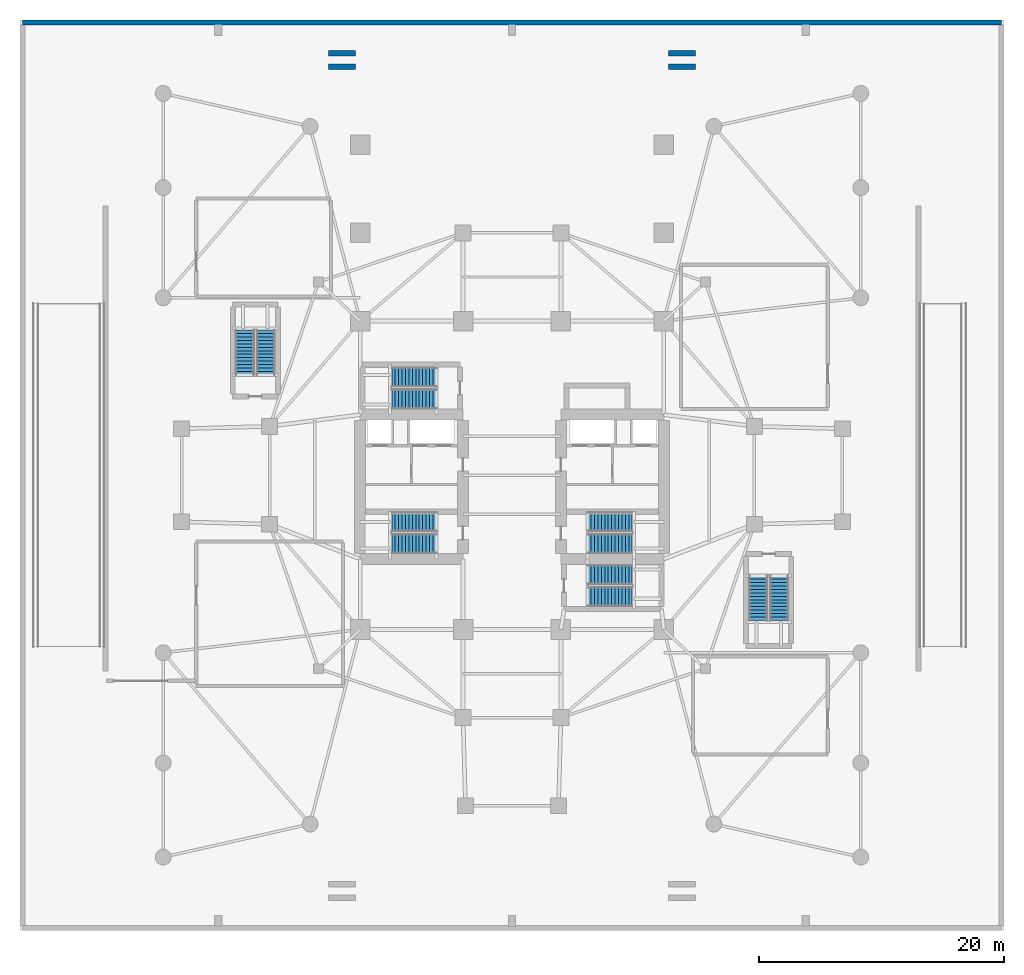
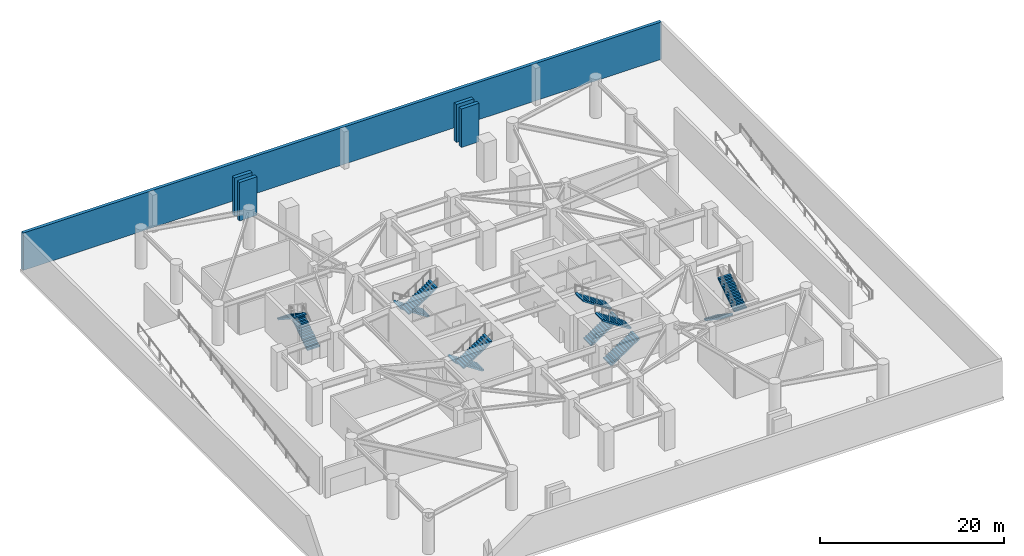
# One storey, part 7 of 12: 12 stair flights, 5 walls, 6 elements without a shape of their own.
"""IFC4 building model written with IfcOpenShell, lengths in metres."""

from ifc_helpers import new_model, si_unit, direction, frame, frame_2d, origin, place, context, subcontext, project, spatial, polyline, rectangle, outline, extrude, material, layer, layer_set, type_object, element, aggregate, save


model = new_model("IFC4")

# Units and contexts
model_context = context("Model", 3, precision=1e-05, world=origin(), true_north=direction((0.0, 1.0)))
body_context = subcontext(model_context, "Body", "Model", "MODEL_VIEW")
ifc_project = project(units=[si_unit("LENGTHUNIT", "METRE"), si_unit("AREAUNIT", "SQUARE_METRE"), si_unit("VOLUMEUNIT", "CUBIC_METRE"), si_unit("PLANEANGLEUNIT", "RADIAN"), si_unit("MASSUNIT", "GRAM", prefix="KILO")], contexts=[model_context])

# Site, building, storey
site_placement = place(None, origin())
site = spatial("IfcSite", under=ifc_project, at=site_placement, CompositionType="ELEMENT")
building_placement = place(site_placement, origin())
building = spatial("IfcBuilding", under=site, at=building_placement, Name="Qingluan Cross Belvedere", CompositionType="ELEMENT")
storey_placement = place(building_placement, frame((0.0, 0.0, -5.199951171875)))
storey = spatial("IfcBuildingStorey", under=building, at=storey_placement, Name="B1", CompositionType="ELEMENT", Elevation=-5.199951171875)

# Walls
ifc_material_1 = material(Name="Concrete C50", Category="concrete")
ifc_layer_1 = layer(ifc_material_1, 0.449951171875, Name="CoreShearWall_450")
ifc_layer_set_1 = layer_set([ifc_layer_1], Name="Concrete C50")
wall_type_1 = type_object("IfcWallType", Name="CoreShearWall_450", PredefinedType="SHEAR", material=ifc_layer_set_1)
wall_1_placement = place(storey_placement, frame((-15.0, 34.5, 0.0), z_axis=(0.0, 0.0, 1.0), x_axis=(1.0, 0.0, 0.0)))
element("IfcWall", 1, at=wall_1_placement, inside=storey, type_object=wall_type_1, Name="Entrance ramp structural support wall B1-5", PredefinedType="SHEAR", context=body_context, shape_type="SweptSolid", body=[
    extrude(rectangle(XDim=2.199951171875, YDim=0.449951171875, at=frame_2d((1.10009765625, 0.0))), origin(), (0.0, 0.0, 1.0), 5.02001953125),
])
wall_2_placement = place(storey_placement, frame((-15.0, 33.39990234375, 0.0), z_axis=(0.0, 0.0, 1.0), x_axis=(1.0, 0.0, 0.0)))
element("IfcWall", 2, at=wall_2_placement, inside=storey, type_object=wall_type_1, Name="Entrance ramp structural support wall B1-6", PredefinedType="SHEAR", context=body_context, shape_type="SweptSolid", body=[
    extrude(rectangle(XDim=2.199951171875, YDim=0.449951171875, at=frame_2d((1.10009765625, 0.0))), origin(), (0.0, 0.0, 1.0), 5.099853515625),
])
wall_3_placement = place(storey_placement, frame((12.800048828125, 34.5, 0.0), z_axis=(0.0, 0.0, 1.0), x_axis=(1.0, 0.0, 0.0)))
element("IfcWall", 3, at=wall_3_placement, inside=storey, type_object=wall_type_1, Name="Entrance ramp structural support wall B1-7", PredefinedType="SHEAR", context=body_context, shape_type="SweptSolid", body=[
    extrude(rectangle(XDim=2.199951171875, YDim=0.449951171875, at=frame_2d((1.10009765625, 0.0))), origin(), (0.0, 0.0, 1.0), 5.02001953125),
])
wall_4_placement = place(storey_placement, frame((12.800048828125, 33.39990234375, 0.0), z_axis=(0.0, 0.0, 1.0), x_axis=(1.0, 0.0, 0.0)))
element("IfcWall", 4, at=wall_4_placement, inside=storey, type_object=wall_type_1, Name="Entrance ramp structural support wall B1-8", PredefinedType="SHEAR", context=body_context, shape_type="SweptSolid", body=[
    extrude(rectangle(XDim=2.199951171875, YDim=0.449951171875, at=frame_2d((1.10009765625, 0.0))), origin(), (0.0, 0.0, 1.0), 5.099853515625),
])
ifc_material_2 = material(Name="Concrete C40", Category="concrete")
ifc_layer_2 = layer(ifc_material_2, 0.39990234375, Name="RetainingWall_400")
ifc_layer_set_2 = layer_set([ifc_layer_2], Name="Concrete C40")
wall_type_2 = type_object("IfcWallType", Name="RetainingWall_400", PredefinedType="USERDEFINED", material=ifc_layer_set_2)
wall_5_placement = place(storey_placement, frame((-40.0, 37.0, 0.0), z_axis=(0.0, 0.0, 1.0), x_axis=(1.0, 0.0, 0.0)))
element("IfcWall", 5, at=wall_5_placement, inside=storey, type_object=wall_type_2, Name="Basement perimeter retaining wall B1-N", ObjectType="RETAININGWALL", PredefinedType="USERDEFINED", context=body_context, shape_type="SweptSolid", body=[
    extrude(rectangle(XDim=80.0, YDim=0.39990234375, at=frame_2d((40.0, 0.0))), origin(), (0.0, 0.0, 1.0), 4.949951171875),
])

# Stair, stair flights
ifc_material_3 = material(Name="Concrete C40", Category="concrete")
stair_type_1 = type_object("IfcStairType", Name="PodiumExitStair_1550", PredefinedType="HALF_TURN_STAIR", material=ifc_material_3)
stair_1_placement = place(storey_placement, origin())
stair_1 = element("IfcStair", 6, at=stair_1_placement, inside=storey, type_object=stair_type_1, Name="B1 ST5", PredefinedType="HALF_TURN_STAIR")
ifc_material_4 = material(Name="Concrete C40", Category="concrete")
ifc_layer_3 = layer(ifc_material_4, 0.179931640625, Name="PodiumStairFlight_RC180")
ifc_layer_set_3 = layer_set([ifc_layer_3], Name="Concrete C40")
stair_flight_type_1 = type_object("IfcStairFlightType", Name="PodiumStairFlight_RC180", PredefinedType="STRAIGHT", material=ifc_layer_set_3)
stair_flight_1_placement = place(storey_placement, frame((-20.114990234375, 8.2099609375, 0.0), z_axis=(0.0, 0.0, 1.0), x_axis=(0.0, 1.0, 0.0)))
stair_flight_1 = element("IfcStairFlight", 7, at=stair_flight_1_placement, type_object=stair_flight_type_1, Name="ST5 flight 1", NumberOfRisers=14, NumberOfTreads=13, PredefinedType="STRAIGHT", RiserHeight=0.185714286, TreadLength=0.28, context=body_context, shape_type="SweptSolid", body=[
    extrude(outline(polyline([(0.0, 0.0), (0.0, 0.185791015625), (0.280029296875, 0.185791015625), (0.280029296875, 0.371337890625), (0.56005859375, 0.371337890625), (0.56005859375, 0.55712890625), (0.840087890625, 0.55712890625), (0.840087890625, 0.742919921875), (1.1201171875, 0.742919921875), (1.1201171875, 0.928466796875), (1.39990234375, 0.928466796875), (1.39990234375, 1.1142578125), (1.679931640625, 1.1142578125), (1.679931640625, 1.300048828125), (1.9599609375, 1.300048828125), (1.9599609375, 1.485595703125), (2.239990234375, 1.485595703125), (2.239990234375, 1.67138671875), (2.52001953125, 1.67138671875), (2.52001953125, 1.857177734375), (2.800048828125, 1.857177734375), (2.800048828125, 2.04296875), (3.080078125, 2.04296875), (3.080078125, 2.228515625), (3.360107421875, 2.228515625), (3.360107421875, 2.414306640625), (3.639892578125, 2.414306640625), (3.639892578125, 2.60009765625), (3.639892578125, 2.234375), (0.271240234375, 0.0), (0.0, 0.0)])), frame((0.0, 0.77490234375, 0.0), z_axis=(0.0, -1.0, 0.0), x_axis=(1.0, 0.0, 0.0)), (0.0, 0.0, 1.0), 1.550048828125),
])
stair_flight_2_placement = place(storey_placement, frame((-21.824951171875, 11.85009765625, 2.599853515625), z_axis=(0.0, 0.0, 1.0), x_axis=(0.0, -1.0, 0.0)))
stair_flight_2 = element("IfcStairFlight", 8, at=stair_flight_2_placement, type_object=stair_flight_type_1, Name="ST5 flight 2", NumberOfRisers=14, NumberOfTreads=13, PredefinedType="STRAIGHT", RiserHeight=0.185714286, TreadLength=0.28, context=body_context, shape_type="SweptSolid", body=[
    extrude(outline(polyline([(0.0, 0.0), (0.0, 0.185791015625), (0.280029296875, 0.185791015625), (0.280029296875, 0.371337890625), (0.56005859375, 0.371337890625), (0.56005859375, 0.55712890625), (0.840087890625, 0.55712890625), (0.840087890625, 0.742919921875), (1.1201171875, 0.742919921875), (1.1201171875, 0.928466796875), (1.39990234375, 0.928466796875), (1.39990234375, 1.1142578125), (1.679931640625, 1.1142578125), (1.679931640625, 1.300048828125), (1.9599609375, 1.300048828125), (1.9599609375, 1.485595703125), (2.239990234375, 1.485595703125), (2.239990234375, 1.67138671875), (2.52001953125, 1.67138671875), (2.52001953125, 1.857177734375), (2.800048828125, 1.857177734375), (2.800048828125, 2.04296875), (3.080078125, 2.04296875), (3.080078125, 2.228515625), (3.360107421875, 2.228515625), (3.360107421875, 2.414306640625), (3.639892578125, 2.414306640625), (3.639892578125, 2.60009765625), (3.639892578125, 2.234375), (0.271240234375, 0.0), (0.0, 0.0)])), frame((0.0, 0.77490234375, 0.0), z_axis=(0.0, -1.0, 0.0), x_axis=(1.0, 0.0, 0.0)), (0.0, 0.0, 1.0), 1.550048828125),
])
aggregate(stair_1, [stair_flight_1, stair_flight_2])

stair_2_placement = place(storey_placement, origin())
stair_2 = element("IfcStair", 9, at=stair_2_placement, inside=storey, type_object=stair_type_1, Name="B1 ST6", PredefinedType="HALF_TURN_STAIR")
stair_flight_3_placement = place(storey_placement, frame((20.114990234375, -8.2099609375, 0.0), z_axis=(0.0, 0.0, 1.0), x_axis=(0.0, -1.0, 0.0)))
stair_flight_3 = element("IfcStairFlight", 10, at=stair_flight_3_placement, type_object=stair_flight_type_1, Name="ST6 flight 1", NumberOfRisers=14, NumberOfTreads=13, PredefinedType="STRAIGHT", RiserHeight=0.185714286, TreadLength=0.28, context=body_context, shape_type="SweptSolid", body=[
    extrude(outline(polyline([(0.0, 0.0), (0.0, 0.185791015625), (0.280029296875, 0.185791015625), (0.280029296875, 0.371337890625), (0.56005859375, 0.371337890625), (0.56005859375, 0.55712890625), (0.840087890625, 0.55712890625), (0.840087890625, 0.742919921875), (1.1201171875, 0.742919921875), (1.1201171875, 0.928466796875), (1.39990234375, 0.928466796875), (1.39990234375, 1.1142578125), (1.679931640625, 1.1142578125), (1.679931640625, 1.300048828125), (1.9599609375, 1.300048828125), (1.9599609375, 1.485595703125), (2.239990234375, 1.485595703125), (2.239990234375, 1.67138671875), (2.52001953125, 1.67138671875), (2.52001953125, 1.857177734375), (2.800048828125, 1.857177734375), (2.800048828125, 2.04296875), (3.080078125, 2.04296875), (3.080078125, 2.228515625), (3.360107421875, 2.228515625), (3.360107421875, 2.414306640625), (3.639892578125, 2.414306640625), (3.639892578125, 2.60009765625), (3.639892578125, 2.234375), (0.271240234375, 0.0), (0.0, 0.0)])), frame((0.0, 0.77490234375, 0.0), z_axis=(0.0, -1.0, 0.0), x_axis=(1.0, 0.0, 0.0)), (0.0, 0.0, 1.0), 1.550048828125),
])
stair_flight_4_placement = place(storey_placement, frame((21.824951171875, -11.85009765625, 2.599853515625), z_axis=(0.0, 0.0, 1.0), x_axis=(0.0, 1.0, 0.0)))
stair_flight_4 = element("IfcStairFlight", 11, at=stair_flight_4_placement, type_object=stair_flight_type_1, Name="ST6 flight 2", NumberOfRisers=14, NumberOfTreads=13, PredefinedType="STRAIGHT", RiserHeight=0.185714286, TreadLength=0.28, context=body_context, shape_type="SweptSolid", body=[
    extrude(outline(polyline([(0.0, 0.0), (0.0, 0.185791015625), (0.280029296875, 0.185791015625), (0.280029296875, 0.371337890625), (0.56005859375, 0.371337890625), (0.56005859375, 0.55712890625), (0.840087890625, 0.55712890625), (0.840087890625, 0.742919921875), (1.1201171875, 0.742919921875), (1.1201171875, 0.928466796875), (1.39990234375, 0.928466796875), (1.39990234375, 1.1142578125), (1.679931640625, 1.1142578125), (1.679931640625, 1.300048828125), (1.9599609375, 1.300048828125), (1.9599609375, 1.485595703125), (2.239990234375, 1.485595703125), (2.239990234375, 1.67138671875), (2.52001953125, 1.67138671875), (2.52001953125, 1.857177734375), (2.800048828125, 1.857177734375), (2.800048828125, 2.04296875), (3.080078125, 2.04296875), (3.080078125, 2.228515625), (3.360107421875, 2.228515625), (3.360107421875, 2.414306640625), (3.639892578125, 2.414306640625), (3.639892578125, 2.60009765625), (3.639892578125, 2.234375), (0.271240234375, 0.0), (0.0, 0.0)])), frame((0.0, 0.77490234375, 0.0), z_axis=(0.0, -1.0, 0.0), x_axis=(1.0, 0.0, 0.0)), (0.0, 0.0, 1.0), 1.550048828125),
])
aggregate(stair_2, [stair_flight_3, stair_flight_4])

ifc_material_5 = material(Name="Concrete C40", Category="concrete")
stair_type_2 = type_object("IfcStairType", Name="CoreDoglegStair_1620", PredefinedType="HALF_TURN_STAIR", material=ifc_material_5)
stair_3_placement = place(storey_placement, origin())
stair_3 = element("IfcStair", 12, at=stair_3_placement, inside=storey, type_object=stair_type_2, Name="B1 ST1", PredefinedType="HALF_TURN_STAIR")
ifc_material_6 = material(Name="Concrete C40", Category="concrete")
ifc_layer_4 = layer(ifc_material_6, 0.179931640625, Name="StairFlight_RC180")
ifc_layer_set_4 = layer_set([ifc_layer_4], Name="Concrete C40")
stair_flight_type_2 = type_object("IfcStairFlightType", Name="StairFlight_RC180", PredefinedType="STRAIGHT", material=ifc_layer_set_4)
stair_flight_5_placement = place(storey_placement, frame((-6.179931640625, -3.81005859375, 0.0), z_axis=(0.0, 0.0, 1.0), x_axis=(-1.0, 0.0, 0.0)))
stair_flight_5 = element("IfcStairFlight", 13, at=stair_flight_5_placement, type_object=stair_flight_type_2, Name="ST1 flight 1", NumberOfRisers=14, NumberOfTreads=13, PredefinedType="STRAIGHT", RiserHeight=0.185714286, TreadLength=0.28, context=body_context, shape_type="SweptSolid", body=[
    extrude(outline(polyline([(0.0, 0.0), (0.0, 0.185791015625), (0.280029296875, 0.185791015625), (0.280029296875, 0.371337890625), (0.56005859375, 0.371337890625), (0.56005859375, 0.55712890625), (0.840087890625, 0.55712890625), (0.840087890625, 0.742919921875), (1.1201171875, 0.742919921875), (1.1201171875, 0.928466796875), (1.39990234375, 0.928466796875), (1.39990234375, 1.1142578125), (1.679931640625, 1.1142578125), (1.679931640625, 1.300048828125), (1.9599609375, 1.300048828125), (1.9599609375, 1.485595703125), (2.239990234375, 1.485595703125), (2.239990234375, 1.67138671875), (2.52001953125, 1.67138671875), (2.52001953125, 1.857177734375), (2.800048828125, 1.857177734375), (2.800048828125, 2.04296875), (3.080078125, 2.04296875), (3.080078125, 2.228515625), (3.360107421875, 2.228515625), (3.360107421875, 2.414306640625), (3.639892578125, 2.414306640625), (3.639892578125, 2.60009765625), (3.639892578125, 2.234375), (0.271240234375, 0.0), (0.0, 0.0)])), frame((0.0, 0.81005859375, 0.0), z_axis=(0.0, -1.0, 0.0), x_axis=(1.0, 0.0, 0.0)), (0.0, 0.0, 1.0), 1.6201171875),
])
stair_flight_6_placement = place(storey_placement, frame((-9.820068359375, -5.590087890625, 2.599853515625), z_axis=(0.0, 0.0, 1.0), x_axis=(1.0, 0.0, 0.0)))
stair_flight_6 = element("IfcStairFlight", 14, at=stair_flight_6_placement, type_object=stair_flight_type_2, Name="ST1 flight 2", NumberOfRisers=14, NumberOfTreads=13, PredefinedType="STRAIGHT", RiserHeight=0.185714286, TreadLength=0.28, context=body_context, shape_type="SweptSolid", body=[
    extrude(outline(polyline([(0.0, 0.0), (0.0, 0.185791015625), (0.280029296875, 0.185791015625), (0.280029296875, 0.371337890625), (0.56005859375, 0.371337890625), (0.56005859375, 0.55712890625), (0.840087890625, 0.55712890625), (0.840087890625, 0.742919921875), (1.1201171875, 0.742919921875), (1.1201171875, 0.928466796875), (1.39990234375, 0.928466796875), (1.39990234375, 1.1142578125), (1.679931640625, 1.1142578125), (1.679931640625, 1.300048828125), (1.9599609375, 1.300048828125), (1.9599609375, 1.485595703125), (2.239990234375, 1.485595703125), (2.239990234375, 1.67138671875), (2.52001953125, 1.67138671875), (2.52001953125, 1.857177734375), (2.800048828125, 1.857177734375), (2.800048828125, 2.04296875), (3.080078125, 2.04296875), (3.080078125, 2.228515625), (3.360107421875, 2.228515625), (3.360107421875, 2.414306640625), (3.639892578125, 2.414306640625), (3.639892578125, 2.60009765625), (3.639892578125, 2.234375), (0.271240234375, 0.0), (0.0, 0.0)])), frame((0.0, 0.81005859375, 0.0), z_axis=(0.0, -1.0, 0.0), x_axis=(1.0, 0.0, 0.0)), (0.0, 0.0, 1.0), 1.6201171875),
])
aggregate(stair_3, [stair_flight_5, stair_flight_6])

stair_4_placement = place(storey_placement, origin())
stair_4 = element("IfcStair", 15, at=stair_4_placement, inside=storey, type_object=stair_type_2, Name="B1 ST2", PredefinedType="HALF_TURN_STAIR")
stair_flight_7_placement = place(storey_placement, frame((6.179931640625, -5.590087890625, 0.0), z_axis=(0.0, 0.0, 1.0), x_axis=(1.0, 0.0, 0.0)))
stair_flight_7 = element("IfcStairFlight", 16, at=stair_flight_7_placement, type_object=stair_flight_type_2, Name="ST2 flight 1", NumberOfRisers=14, NumberOfTreads=13, PredefinedType="STRAIGHT", RiserHeight=0.185714286, TreadLength=0.28, context=body_context, shape_type="SweptSolid", body=[
    extrude(outline(polyline([(0.0, 0.0), (0.0, 0.185791015625), (0.280029296875, 0.185791015625), (0.280029296875, 0.371337890625), (0.56005859375, 0.371337890625), (0.56005859375, 0.55712890625), (0.840087890625, 0.55712890625), (0.840087890625, 0.742919921875), (1.1201171875, 0.742919921875), (1.1201171875, 0.928466796875), (1.39990234375, 0.928466796875), (1.39990234375, 1.1142578125), (1.679931640625, 1.1142578125), (1.679931640625, 1.300048828125), (1.9599609375, 1.300048828125), (1.9599609375, 1.485595703125), (2.239990234375, 1.485595703125), (2.239990234375, 1.67138671875), (2.52001953125, 1.67138671875), (2.52001953125, 1.857177734375), (2.800048828125, 1.857177734375), (2.800048828125, 2.04296875), (3.080078125, 2.04296875), (3.080078125, 2.228515625), (3.360107421875, 2.228515625), (3.360107421875, 2.414306640625), (3.639892578125, 2.414306640625), (3.639892578125, 2.60009765625), (3.639892578125, 2.234375), (0.271240234375, 0.0), (0.0, 0.0)])), frame((0.0, 0.81005859375, 0.0), z_axis=(0.0, -1.0, 0.0), x_axis=(1.0, 0.0, 0.0)), (0.0, 0.0, 1.0), 1.6201171875),
])
stair_flight_8_placement = place(storey_placement, frame((9.820068359375, -3.81005859375, 2.599853515625), z_axis=(0.0, 0.0, 1.0), x_axis=(-1.0, 0.0, 0.0)))
stair_flight_8 = element("IfcStairFlight", 17, at=stair_flight_8_placement, type_object=stair_flight_type_2, Name="ST2 flight 2", NumberOfRisers=14, NumberOfTreads=13, PredefinedType="STRAIGHT", RiserHeight=0.185714286, TreadLength=0.28, context=body_context, shape_type="SweptSolid", body=[
    extrude(outline(polyline([(0.0, 0.0), (0.0, 0.185791015625), (0.280029296875, 0.185791015625), (0.280029296875, 0.371337890625), (0.56005859375, 0.371337890625), (0.56005859375, 0.55712890625), (0.840087890625, 0.55712890625), (0.840087890625, 0.742919921875), (1.1201171875, 0.742919921875), (1.1201171875, 0.928466796875), (1.39990234375, 0.928466796875), (1.39990234375, 1.1142578125), (1.679931640625, 1.1142578125), (1.679931640625, 1.300048828125), (1.9599609375, 1.300048828125), (1.9599609375, 1.485595703125), (2.239990234375, 1.485595703125), (2.239990234375, 1.67138671875), (2.52001953125, 1.67138671875), (2.52001953125, 1.857177734375), (2.800048828125, 1.857177734375), (2.800048828125, 2.04296875), (3.080078125, 2.04296875), (3.080078125, 2.228515625), (3.360107421875, 2.228515625), (3.360107421875, 2.414306640625), (3.639892578125, 2.414306640625), (3.639892578125, 2.60009765625), (3.639892578125, 2.234375), (0.271240234375, 0.0), (0.0, 0.0)])), frame((0.0, 0.81005859375, 0.0), z_axis=(0.0, -1.0, 0.0), x_axis=(1.0, 0.0, 0.0)), (0.0, 0.0, 1.0), 1.6201171875),
])
aggregate(stair_4, [stair_flight_7, stair_flight_8])

stair_5_placement = place(storey_placement, origin())
stair_5 = element("IfcStair", 18, at=stair_5_placement, inside=storey, type_object=stair_type_2, Name="B1 ST3", PredefinedType="HALF_TURN_STAIR")
stair_flight_9_placement = place(storey_placement, frame((-6.179931640625, 8.010009765625, 0.0), z_axis=(0.0, 0.0, 1.0), x_axis=(-1.0, 0.0, 0.0)))
stair_flight_9 = element("IfcStairFlight", 19, at=stair_flight_9_placement, type_object=stair_flight_type_2, Name="ST3 flight 1", NumberOfRisers=14, NumberOfTreads=13, PredefinedType="STRAIGHT", RiserHeight=0.185714286, TreadLength=0.28, context=body_context, shape_type="SweptSolid", body=[
    extrude(outline(polyline([(0.0, 0.0), (0.0, 0.185791015625), (0.280029296875, 0.185791015625), (0.280029296875, 0.371337890625), (0.56005859375, 0.371337890625), (0.56005859375, 0.55712890625), (0.840087890625, 0.55712890625), (0.840087890625, 0.742919921875), (1.1201171875, 0.742919921875), (1.1201171875, 0.928466796875), (1.39990234375, 0.928466796875), (1.39990234375, 1.1142578125), (1.679931640625, 1.1142578125), (1.679931640625, 1.300048828125), (1.9599609375, 1.300048828125), (1.9599609375, 1.485595703125), (2.239990234375, 1.485595703125), (2.239990234375, 1.67138671875), (2.52001953125, 1.67138671875), (2.52001953125, 1.857177734375), (2.800048828125, 1.857177734375), (2.800048828125, 2.04296875), (3.080078125, 2.04296875), (3.080078125, 2.228515625), (3.360107421875, 2.228515625), (3.360107421875, 2.414306640625), (3.639892578125, 2.414306640625), (3.639892578125, 2.60009765625), (3.639892578125, 2.234375), (0.271240234375, 0.0), (0.0, 0.0)])), frame((0.0, 0.81005859375, 0.0), z_axis=(0.0, -1.0, 0.0), x_axis=(1.0, 0.0, 0.0)), (0.0, 0.0, 1.0), 1.6201171875),
])
stair_flight_10_placement = place(storey_placement, frame((-9.820068359375, 6.22998046875, 2.599853515625), z_axis=(0.0, 0.0, 1.0), x_axis=(1.0, 0.0, 0.0)))
stair_flight_10 = element("IfcStairFlight", 20, at=stair_flight_10_placement, type_object=stair_flight_type_2, Name="ST3 flight 2", NumberOfRisers=14, NumberOfTreads=13, PredefinedType="STRAIGHT", RiserHeight=0.185714286, TreadLength=0.28, context=body_context, shape_type="SweptSolid", body=[
    extrude(outline(polyline([(0.0, 0.0), (0.0, 0.185791015625), (0.280029296875, 0.185791015625), (0.280029296875, 0.371337890625), (0.56005859375, 0.371337890625), (0.56005859375, 0.55712890625), (0.840087890625, 0.55712890625), (0.840087890625, 0.742919921875), (1.1201171875, 0.742919921875), (1.1201171875, 0.928466796875), (1.39990234375, 0.928466796875), (1.39990234375, 1.1142578125), (1.679931640625, 1.1142578125), (1.679931640625, 1.300048828125), (1.9599609375, 1.300048828125), (1.9599609375, 1.485595703125), (2.239990234375, 1.485595703125), (2.239990234375, 1.67138671875), (2.52001953125, 1.67138671875), (2.52001953125, 1.857177734375), (2.800048828125, 1.857177734375), (2.800048828125, 2.04296875), (3.080078125, 2.04296875), (3.080078125, 2.228515625), (3.360107421875, 2.228515625), (3.360107421875, 2.414306640625), (3.639892578125, 2.414306640625), (3.639892578125, 2.60009765625), (3.639892578125, 2.234375), (0.271240234375, 0.0), (0.0, 0.0)])), frame((0.0, 0.81005859375, 0.0), z_axis=(0.0, -1.0, 0.0), x_axis=(1.0, 0.0, 0.0)), (0.0, 0.0, 1.0), 1.6201171875),
])
aggregate(stair_5, [stair_flight_9, stair_flight_10])

stair_6_placement = place(storey_placement, origin())
stair_6 = element("IfcStair", 21, at=stair_6_placement, inside=storey, type_object=stair_type_2, Name="B1 ST4", PredefinedType="HALF_TURN_STAIR")
stair_flight_11_placement = place(storey_placement, frame((6.179931640625, -9.909912109375, 0.0), z_axis=(0.0, 0.0, 1.0), x_axis=(1.0, 0.0, 0.0)))
stair_flight_11 = element("IfcStairFlight", 22, at=stair_flight_11_placement, type_object=stair_flight_type_2, Name="ST4 flight 1", NumberOfRisers=14, NumberOfTreads=13, PredefinedType="STRAIGHT", RiserHeight=0.185714286, TreadLength=0.28, context=body_context, shape_type="SweptSolid", body=[
    extrude(outline(polyline([(0.0, 0.0), (0.0, 0.185791015625), (0.280029296875, 0.185791015625), (0.280029296875, 0.371337890625), (0.56005859375, 0.371337890625), (0.56005859375, 0.55712890625), (0.840087890625, 0.55712890625), (0.840087890625, 0.742919921875), (1.1201171875, 0.742919921875), (1.1201171875, 0.928466796875), (1.39990234375, 0.928466796875), (1.39990234375, 1.1142578125), (1.679931640625, 1.1142578125), (1.679931640625, 1.300048828125), (1.9599609375, 1.300048828125), (1.9599609375, 1.485595703125), (2.239990234375, 1.485595703125), (2.239990234375, 1.67138671875), (2.52001953125, 1.67138671875), (2.52001953125, 1.857177734375), (2.800048828125, 1.857177734375), (2.800048828125, 2.04296875), (3.080078125, 2.04296875), (3.080078125, 2.228515625), (3.360107421875, 2.228515625), (3.360107421875, 2.414306640625), (3.639892578125, 2.414306640625), (3.639892578125, 2.60009765625), (3.639892578125, 2.234375), (0.271240234375, 0.0), (0.0, 0.0)])), frame((0.0, 0.81005859375, 0.0), z_axis=(0.0, -1.0, 0.0), x_axis=(1.0, 0.0, 0.0)), (0.0, 0.0, 1.0), 1.6201171875),
])
stair_flight_12_placement = place(storey_placement, frame((9.820068359375, -8.1298828125, 2.599853515625), z_axis=(0.0, 0.0, 1.0), x_axis=(-1.0, 0.0, 0.0)))
stair_flight_12 = element("IfcStairFlight", 23, at=stair_flight_12_placement, type_object=stair_flight_type_2, Name="ST4 flight 2", NumberOfRisers=14, NumberOfTreads=13, PredefinedType="STRAIGHT", RiserHeight=0.185714286, TreadLength=0.28, context=body_context, shape_type="SweptSolid", body=[
    extrude(outline(polyline([(0.0, 0.0), (0.0, 0.185791015625), (0.280029296875, 0.185791015625), (0.280029296875, 0.371337890625), (0.56005859375, 0.371337890625), (0.56005859375, 0.55712890625), (0.840087890625, 0.55712890625), (0.840087890625, 0.742919921875), (1.1201171875, 0.742919921875), (1.1201171875, 0.928466796875), (1.39990234375, 0.928466796875), (1.39990234375, 1.1142578125), (1.679931640625, 1.1142578125), (1.679931640625, 1.300048828125), (1.9599609375, 1.300048828125), (1.9599609375, 1.485595703125), (2.239990234375, 1.485595703125), (2.239990234375, 1.67138671875), (2.52001953125, 1.67138671875), (2.52001953125, 1.857177734375), (2.800048828125, 1.857177734375), (2.800048828125, 2.04296875), (3.080078125, 2.04296875), (3.080078125, 2.228515625), (3.360107421875, 2.228515625), (3.360107421875, 2.414306640625), (3.639892578125, 2.414306640625), (3.639892578125, 2.60009765625), (3.639892578125, 2.234375), (0.271240234375, 0.0), (0.0, 0.0)])), frame((0.0, 0.81005859375, 0.0), z_axis=(0.0, -1.0, 0.0), x_axis=(1.0, 0.0, 0.0)), (0.0, 0.0, 1.0), 1.6201171875),
])
aggregate(stair_6, [stair_flight_11, stair_flight_12])

save(model, "model.ifc")
